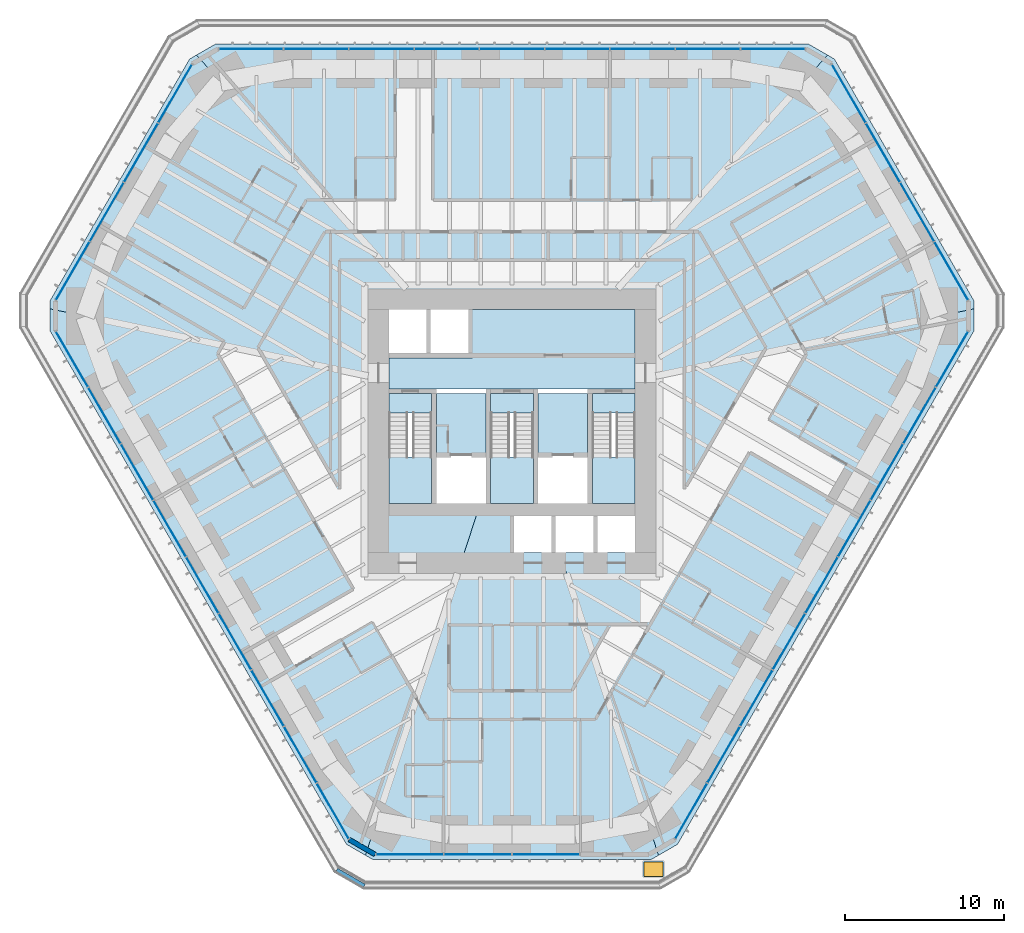
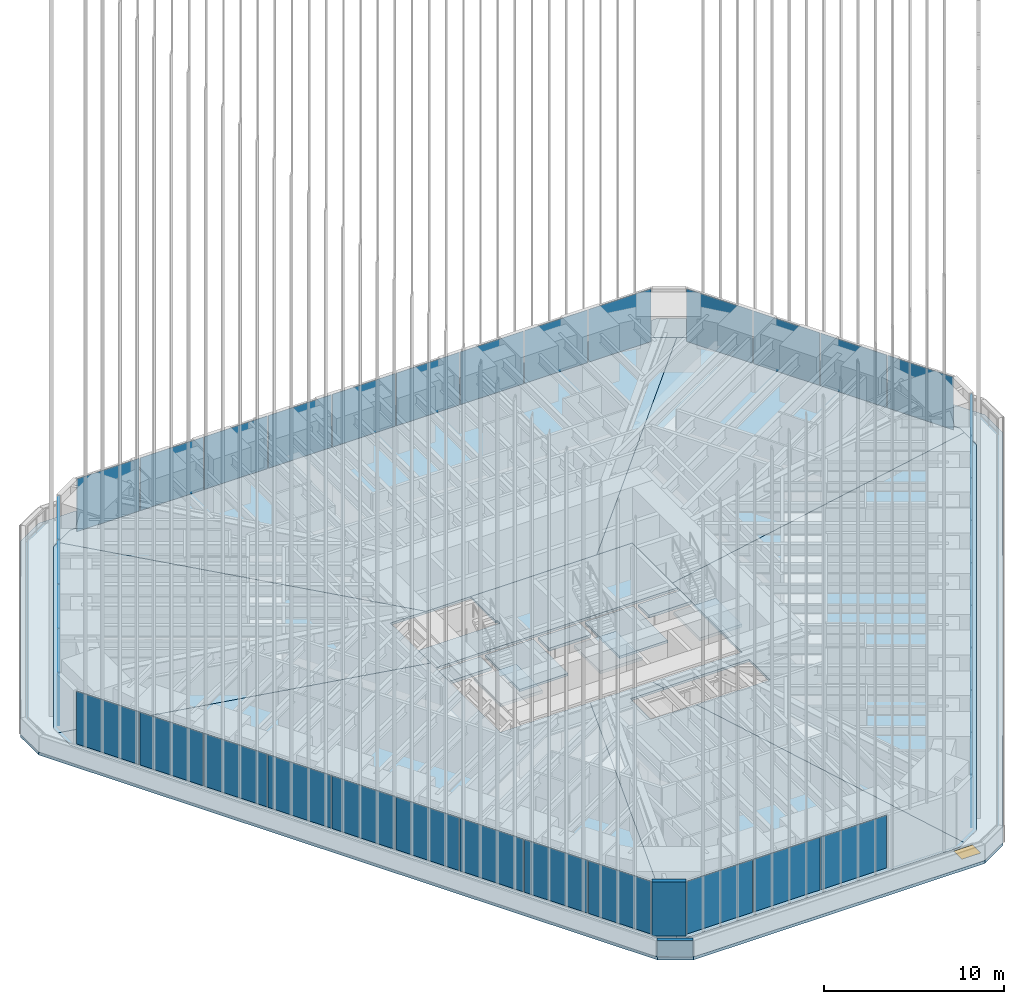
# One storey, part 229 of 238: 38 plates, 16 slabs, 2 walls, 1 window, 1 opening, 9 elements without a shape of their own.
"""IFC4 building model written with IfcOpenShell, lengths in metres."""

from ifc_helpers import new_model, si_unit, direction, frame, frame_2d, origin, origin_2d, place, context, subcontext, project, spatial, polyline, rectangle, outline, extrude, material, layer, layer_set, type_object, element, fill, aggregate, save


model = new_model("IFC4")

# Units and contexts
model_context = context("Model", 3, precision=1e-05, world=origin(), true_north=direction((0.0, 1.0)))
body_context = subcontext(model_context, "Body", "Model", "MODEL_VIEW")
ifc_project = project(units=[si_unit("LENGTHUNIT", "METRE"), si_unit("AREAUNIT", "SQUARE_METRE"), si_unit("VOLUMEUNIT", "CUBIC_METRE"), si_unit("PLANEANGLEUNIT", "RADIAN"), si_unit("MASSUNIT", "GRAM", prefix="KILO")], contexts=[model_context])

# Site, building, storey
site_placement = place(None, origin())
site = spatial("IfcSite", under=ifc_project, at=site_placement, CompositionType="ELEMENT")
building_placement = place(site_placement, origin())
building = spatial("IfcBuilding", under=site, at=building_placement, Name="Sandreach Pilgrim Tower", CompositionType="ELEMENT")
storey_placement = place(building_placement, frame((0.0, 0.0, 96.800048828125)))
storey = spatial("IfcBuildingStorey", under=building, at=storey_placement, Name="L23", CompositionType="ELEMENT", Elevation=96.800048828125)

# Curtain wall, plates
ifc_material_1 = material(Name="Aluminium framed curtain wall", Category="aluminium")
curtain_wall_type = type_object("IfcCurtainWallType", Name="Hotel tower curtain wall", PredefinedType="NOTDEFINED", material=ifc_material_1)
curtain_wall_1_placement = place(storey_placement, origin())
curtain_wall_1 = element("IfcCurtainWall", 1, at=curtain_wall_1_placement, inside=storey, type_object=curtain_wall_type, Name="CW-2 L23 N", PredefinedType="NOTDEFINED")
ifc_material_2 = material(Name="Insulating glass unit 8 heat-strengthened + 16 argon + 8 heat-strengthened", Category="glass")
ifc_layer_1 = layer(ifc_material_2, 0.031982421875)
ifc_layer_set_1 = layer_set([ifc_layer_1], Name="CW-2 panel")
plate_type = type_object("IfcPlateType", Name="CW-2 panel", PredefinedType="CURTAIN_PANEL", material=ifc_layer_set_1)
plate_1_placement = place(storey_placement, frame((-16.41162109375, 22.493896484375, 0.0), z_axis=(0.0, 0.0, 1.0), x_axis=(1.0, 0.0, 0.0)))
plate_1 = element("IfcPlate", 2, at=plate_1_placement, type_object=plate_type, Name="CW-2 panel 1", PredefinedType="CURTAIN_PANEL", context=body_context, shape_type="SweptSolid", body=[
    extrude(rectangle(XDim=4.009521484375, YDim=0.031982421875, at=origin_2d()), origin(), (0.0, 0.0, 1.0), 3.570068359375),
])
plate_2_placement = place(storey_placement, frame((-12.32080078125, 22.493896484375, 0.0), z_axis=(0.0, 0.0, 1.0), x_axis=(1.0, 0.0, 0.0)))
plate_2 = element("IfcPlate", 3, at=plate_2_placement, type_object=plate_type, Name="CW-2 panel 2", PredefinedType="CURTAIN_PANEL", context=body_context, shape_type="SweptSolid", body=[
    extrude(rectangle(XDim=4.0419921875, YDim=0.031982421875, at=origin_2d()), origin(), (0.0, 0.0, 1.0), 3.570068359375),
])
plate_3_placement = place(storey_placement, frame((-8.2138671875, 22.493896484375, 0.0), z_axis=(0.0, 0.0, 1.0), x_axis=(1.0, 0.0, 0.0)))
plate_3 = element("IfcPlate", 4, at=plate_3_placement, type_object=plate_type, Name="CW-2 panel 3", PredefinedType="CURTAIN_PANEL", context=body_context, shape_type="SweptSolid", body=[
    extrude(rectangle(XDim=4.0419921875, YDim=0.031982421875, at=origin_2d()), origin(), (0.0, 0.0, 1.0), 3.570068359375),
])
plate_4_placement = place(storey_placement, frame((-4.10693359375, 22.493896484375, 0.0), z_axis=(0.0, 0.0, 1.0), x_axis=(1.0, 0.0, 0.0)))
plate_4 = element("IfcPlate", 5, at=plate_4_placement, type_object=plate_type, Name="CW-2 panel 4", PredefinedType="CURTAIN_PANEL", context=body_context, shape_type="SweptSolid", body=[
    extrude(rectangle(XDim=4.0419921875, YDim=0.031982421875, at=origin_2d()), origin(), (0.0, 0.0, 1.0), 3.570068359375),
])
plate_5_placement = place(storey_placement, frame((0.0, 22.493896484375, 0.0), z_axis=(0.0, 0.0, 1.0), x_axis=(1.0, 0.0, 0.0)))
plate_5 = element("IfcPlate", 6, at=plate_5_placement, type_object=plate_type, Name="CW-2 panel 5", PredefinedType="CURTAIN_PANEL", context=body_context, shape_type="SweptSolid", body=[
    extrude(rectangle(XDim=4.0419921875, YDim=0.031982421875, at=origin_2d()), origin(), (0.0, 0.0, 1.0), 3.570068359375),
])
plate_6_placement = place(storey_placement, frame((4.10693359375, 22.493896484375, 0.0), z_axis=(0.0, 0.0, 1.0), x_axis=(1.0, 0.0, 0.0)))
plate_6 = element("IfcPlate", 7, at=plate_6_placement, type_object=plate_type, Name="CW-2 panel 6", PredefinedType="CURTAIN_PANEL", context=body_context, shape_type="SweptSolid", body=[
    extrude(rectangle(XDim=4.0419921875, YDim=0.031982421875, at=origin_2d()), origin(), (0.0, 0.0, 1.0), 3.570068359375),
])
plate_7_placement = place(storey_placement, frame((8.2138671875, 22.493896484375, 0.0), z_axis=(0.0, 0.0, 1.0), x_axis=(1.0, 0.0, 0.0)))
plate_7 = element("IfcPlate", 8, at=plate_7_placement, type_object=plate_type, Name="CW-2 panel 7", PredefinedType="CURTAIN_PANEL", context=body_context, shape_type="SweptSolid", body=[
    extrude(rectangle(XDim=4.0419921875, YDim=0.031982421875, at=origin_2d()), origin(), (0.0, 0.0, 1.0), 3.570068359375),
])
plate_8_placement = place(storey_placement, frame((12.32080078125, 22.493896484375, 0.0), z_axis=(0.0, 0.0, 1.0), x_axis=(1.0, 0.0, 0.0)))
plate_8 = element("IfcPlate", 9, at=plate_8_placement, type_object=plate_type, Name="CW-2 panel 8", PredefinedType="CURTAIN_PANEL", context=body_context, shape_type="SweptSolid", body=[
    extrude(rectangle(XDim=4.0419921875, YDim=0.031982421875, at=origin_2d()), origin(), (0.0, 0.0, 1.0), 3.570068359375),
])
plate_9_placement = place(storey_placement, frame((16.41162109375, 22.493896484375, 0.0), z_axis=(0.0, 0.0, 1.0), x_axis=(1.0, 0.0, 0.0)))
plate_9 = element("IfcPlate", 10, at=plate_9_placement, type_object=plate_type, Name="CW-2 panel 9", PredefinedType="CURTAIN_PANEL", context=body_context, shape_type="SweptSolid", body=[
    extrude(rectangle(XDim=4.009521484375, YDim=0.031982421875, at=origin_2d()), origin(), (0.0, 0.0, 1.0), 3.570068359375),
])
aggregate(curtain_wall_1, [plate_1, plate_2, plate_3, plate_4, plate_5, plate_6, plate_7, plate_8, plate_9])

curtain_wall_2_placement = place(storey_placement, origin())
curtain_wall_2 = element("IfcCurtainWall", 11, at=curtain_wall_2_placement, inside=storey, type_object=curtain_wall_type, Name="CW-2 L23 NE", PredefinedType="NOTDEFINED")
plate_10_placement = place(storey_placement, frame((21.194091796875, 19.67529296875, 0.0), z_axis=(0.0, 0.0, 1.0), x_axis=(0.5, -0.866025403784, 0.0)))
plate_10 = element("IfcPlate", 12, at=plate_10_placement, type_object=plate_type, Name="CW-2 panel 1", PredefinedType="CURTAIN_PANEL", context=body_context, shape_type="SweptSolid", body=[
    extrude(rectangle(XDim=4.208251953125, YDim=0.031982421875, at=origin_2d()), origin(), (0.0, 0.0, 1.0), 3.570068359375),
])
plate_11_placement = place(storey_placement, frame((23.3388671875, 15.96044921875, 0.0), z_axis=(0.0, 0.0, 1.0), x_axis=(0.5, -0.866025403784, 0.0)))
plate_11 = element("IfcPlate", 13, at=plate_11_placement, type_object=plate_type, Name="CW-2 panel 2", PredefinedType="CURTAIN_PANEL", context=body_context, shape_type="SweptSolid", body=[
    extrude(rectangle(XDim=4.24072265625, YDim=0.031982421875, at=origin_2d()), origin(), (0.0, 0.0, 1.0), 3.570068359375),
])
plate_12_placement = place(storey_placement, frame((25.49169921875, 12.231689453125, 0.0), z_axis=(0.0, 0.0, 1.0), x_axis=(0.5, -0.866025403784, 0.0)))
plate_12 = element("IfcPlate", 14, at=plate_12_placement, type_object=plate_type, Name="CW-2 panel 3", PredefinedType="CURTAIN_PANEL", context=body_context, shape_type="SweptSolid", body=[
    extrude(rectangle(XDim=4.24072265625, YDim=0.031982421875, at=origin_2d()), origin(), (0.0, 0.0, 1.0), 3.570068359375),
])
plate_13_placement = place(storey_placement, frame((27.63623046875, 8.516845703125, 0.0), z_axis=(0.0, 0.0, 1.0), x_axis=(0.5, -0.866025403784, 0.0)))
plate_13 = element("IfcPlate", 15, at=plate_13_placement, type_object=plate_type, Name="CW-2 panel 4", PredefinedType="CURTAIN_PANEL", context=body_context, shape_type="SweptSolid", body=[
    extrude(rectangle(XDim=4.208251953125, YDim=0.031982421875, at=origin_2d()), origin(), (0.0, 0.0, 1.0), 3.570068359375),
])
aggregate(curtain_wall_2, [plate_10, plate_11, plate_12, plate_13])

curtain_wall_3_placement = place(storey_placement, origin())
curtain_wall_3 = element("IfcCurtainWall", 16, at=curtain_wall_3_placement, inside=storey, type_object=curtain_wall_type, Name="CW-2 L23 SE", PredefinedType="NOTDEFINED")
plate_14_placement = place(storey_placement, frame((27.68603515625, 2.966064453125, 0.0), z_axis=(0.0, 0.0, 1.0), x_axis=(-0.5, -0.866025403784, 0.0)))
plate_14 = element("IfcPlate", 17, at=plate_14_placement, type_object=plate_type, Name="CW-2 panel 1", PredefinedType="CURTAIN_PANEL", context=body_context, shape_type="SweptSolid", body=[
    extrude(rectangle(XDim=4.009521484375, YDim=0.031982421875, at=origin_2d()), origin(), (0.0, 0.0, 1.0), 3.570068359375),
])
plate_15_placement = place(storey_placement, frame((25.640625, -0.57666015625, 0.0), z_axis=(0.0, 0.0, 1.0), x_axis=(-0.5, -0.866025403784, 0.0)))
plate_15 = element("IfcPlate", 18, at=plate_15_placement, type_object=plate_type, Name="CW-2 panel 2", PredefinedType="CURTAIN_PANEL", context=body_context, shape_type="SweptSolid", body=[
    extrude(rectangle(XDim=4.0419921875, YDim=0.031982421875, at=origin_2d()), origin(), (0.0, 0.0, 1.0), 3.570068359375),
])
plate_16_placement = place(storey_placement, frame((23.587158203125, -4.13330078125, 0.0), z_axis=(0.0, 0.0, 1.0), x_axis=(-0.5, -0.866025403784, 0.0)))
plate_16 = element("IfcPlate", 19, at=plate_16_placement, type_object=plate_type, Name="CW-2 panel 3", PredefinedType="CURTAIN_PANEL", context=body_context, shape_type="SweptSolid", body=[
    extrude(rectangle(XDim=4.0419921875, YDim=0.031982421875, at=origin_2d()), origin(), (0.0, 0.0, 1.0), 3.570068359375),
])
plate_17_placement = place(storey_placement, frame((21.53369140625, -7.690185546875, 0.0), z_axis=(0.0, 0.0, 1.0), x_axis=(-0.5, -0.866025403784, 0.0)))
plate_17 = element("IfcPlate", 20, at=plate_17_placement, type_object=plate_type, Name="CW-2 panel 4", PredefinedType="CURTAIN_PANEL", context=body_context, shape_type="SweptSolid", body=[
    extrude(rectangle(XDim=4.0419921875, YDim=0.031982421875, at=origin_2d()), origin(), (0.0, 0.0, 1.0), 3.570068359375),
])
plate_18_placement = place(storey_placement, frame((19.480224609375, -11.246826171875, 0.0), z_axis=(0.0, 0.0, 1.0), x_axis=(-0.5, -0.866025403784, 0.0)))
plate_18 = element("IfcPlate", 21, at=plate_18_placement, type_object=plate_type, Name="CW-2 panel 5", PredefinedType="CURTAIN_PANEL", context=body_context, shape_type="SweptSolid", body=[
    extrude(rectangle(XDim=4.0419921875, YDim=0.031982421875, at=origin_2d()), origin(), (0.0, 0.0, 1.0), 3.570068359375),
])
plate_19_placement = place(storey_placement, frame((17.4267578125, -14.8037109375, 0.0), z_axis=(0.0, 0.0, 1.0), x_axis=(-0.5, -0.866025403784, 0.0)))
plate_19 = element("IfcPlate", 22, at=plate_19_placement, type_object=plate_type, Name="CW-2 panel 6", PredefinedType="CURTAIN_PANEL", context=body_context, shape_type="SweptSolid", body=[
    extrude(rectangle(XDim=4.0419921875, YDim=0.031982421875, at=origin_2d()), origin(), (0.0, 0.0, 1.0), 3.570068359375),
])
plate_20_placement = place(storey_placement, frame((15.373291015625, -18.3603515625, 0.0), z_axis=(0.0, 0.0, 1.0), x_axis=(-0.5, -0.866025403784, 0.0)))
plate_20 = element("IfcPlate", 23, at=plate_20_placement, type_object=plate_type, Name="CW-2 panel 7", PredefinedType="CURTAIN_PANEL", context=body_context, shape_type="SweptSolid", body=[
    extrude(rectangle(XDim=4.0419921875, YDim=0.031982421875, at=origin_2d()), origin(), (0.0, 0.0, 1.0), 3.570068359375),
])
plate_21_placement = place(storey_placement, frame((13.31982421875, -21.917236328125, 0.0), z_axis=(0.0, 0.0, 1.0), x_axis=(-0.5, -0.866025403784, 0.0)))
plate_21 = element("IfcPlate", 24, at=plate_21_placement, type_object=plate_type, Name="CW-2 panel 8", PredefinedType="CURTAIN_PANEL", context=body_context, shape_type="SweptSolid", body=[
    extrude(rectangle(XDim=4.0419921875, YDim=0.031982421875, at=origin_2d()), origin(), (0.0, 0.0, 1.0), 3.570068359375),
])
plate_22_placement = place(storey_placement, frame((11.2744140625, -25.459716796875, 0.0), z_axis=(0.0, 0.0, 1.0), x_axis=(-0.5, -0.866025403784, 0.0)))
plate_22 = element("IfcPlate", 25, at=plate_22_placement, type_object=plate_type, Name="CW-2 panel 9", PredefinedType="CURTAIN_PANEL", context=body_context, shape_type="SweptSolid", body=[
    extrude(rectangle(XDim=4.009521484375, YDim=0.031982421875, at=origin_2d()), origin(), (0.0, 0.0, 1.0), 3.570068359375),
])
aggregate(curtain_wall_3, [plate_14, plate_15, plate_16, plate_17, plate_18, plate_19, plate_20, plate_21, plate_22])

curtain_wall_4_placement = place(storey_placement, origin())
curtain_wall_4 = element("IfcCurtainWall", 26, at=curtain_wall_4_placement, inside=storey, type_object=curtain_wall_type, Name="CW-2 L23 SA", PredefinedType="NOTDEFINED")
plate_23_placement = place(storey_placement, frame((2.136474609375, -28.192138671875, 0.0), z_axis=(0.0, 0.0, 1.0), x_axis=(-1.0, 0.0, 0.0)))
plate_23 = element("IfcPlate", 27, at=plate_23_placement, type_object=plate_type, Name="CW-2 panel 1", PredefinedType="CURTAIN_PANEL", context=body_context, shape_type="SweptSolid", body=[
    extrude(rectangle(XDim=4.208251953125, YDim=0.031982421875, at=origin_2d()), origin(), (0.0, 0.0, 1.0), 3.570068359375),
])
plate_24_placement = place(storey_placement, frame((-2.15283203125, -28.192138671875, 0.0), z_axis=(0.0, 0.0, 1.0), x_axis=(-1.0, 0.0, 0.0)))
plate_24 = element("IfcPlate", 28, at=plate_24_placement, type_object=plate_type, Name="CW-2 panel 2", PredefinedType="CURTAIN_PANEL", context=body_context, shape_type="SweptSolid", body=[
    extrude(rectangle(XDim=4.24072265625, YDim=0.031982421875, at=origin_2d()), origin(), (0.0, 0.0, 1.0), 3.570068359375),
])
plate_25_placement = place(storey_placement, frame((-6.4423828125, -28.192138671875, 0.0), z_axis=(0.0, 0.0, 1.0), x_axis=(-1.0, 0.0, 0.0)))
plate_25 = element("IfcPlate", 29, at=plate_25_placement, type_object=plate_type, Name="CW-2 panel 3", PredefinedType="CURTAIN_PANEL", context=body_context, shape_type="SweptSolid", body=[
    extrude(rectangle(XDim=4.208251953125, YDim=0.031982421875, at=origin_2d()), origin(), (0.0, 0.0, 1.0), 3.570068359375),
])
aggregate(curtain_wall_4, [plate_23, plate_24, plate_25])

curtain_wall_5_placement = place(storey_placement, origin())
curtain_wall_5 = element("IfcCurtainWall", 30, at=curtain_wall_5_placement, inside=storey, type_object=curtain_wall_type, Name="CW-2 L23 SW", PredefinedType="NOTDEFINED")
plate_26_placement = place(storey_placement, frame((-11.2744140625, -25.459716796875, 0.0), z_axis=(0.0, 0.0, 1.0), x_axis=(-0.5, 0.866025403784, 0.0)))
plate_26 = element("IfcPlate", 31, at=plate_26_placement, type_object=plate_type, Name="CW-2 panel 1", PredefinedType="CURTAIN_PANEL", context=body_context, shape_type="SweptSolid", body=[
    extrude(rectangle(XDim=4.009521484375, YDim=0.031982421875, at=origin_2d()), origin(), (0.0, 0.0, 1.0), 3.570068359375),
])
plate_27_placement = place(storey_placement, frame((-13.31982421875, -21.917236328125, 0.0), z_axis=(0.0, 0.0, 1.0), x_axis=(-0.5, 0.866025403784, 0.0)))
plate_27 = element("IfcPlate", 32, at=plate_27_placement, type_object=plate_type, Name="CW-2 panel 2", PredefinedType="CURTAIN_PANEL", context=body_context, shape_type="SweptSolid", body=[
    extrude(rectangle(XDim=4.0419921875, YDim=0.031982421875, at=origin_2d()), origin(), (0.0, 0.0, 1.0), 3.570068359375),
])
plate_28_placement = place(storey_placement, frame((-15.373291015625, -18.3603515625, 0.0), z_axis=(0.0, 0.0, 1.0), x_axis=(-0.5, 0.866025403784, 0.0)))
plate_28 = element("IfcPlate", 33, at=plate_28_placement, type_object=plate_type, Name="CW-2 panel 3", PredefinedType="CURTAIN_PANEL", context=body_context, shape_type="SweptSolid", body=[
    extrude(rectangle(XDim=4.0419921875, YDim=0.031982421875, at=origin_2d()), origin(), (0.0, 0.0, 1.0), 3.570068359375),
])
plate_29_placement = place(storey_placement, frame((-17.4267578125, -14.8037109375, 0.0), z_axis=(0.0, 0.0, 1.0), x_axis=(-0.5, 0.866025403784, 0.0)))
plate_29 = element("IfcPlate", 34, at=plate_29_placement, type_object=plate_type, Name="CW-2 panel 4", PredefinedType="CURTAIN_PANEL", context=body_context, shape_type="SweptSolid", body=[
    extrude(rectangle(XDim=4.0419921875, YDim=0.031982421875, at=origin_2d()), origin(), (0.0, 0.0, 1.0), 3.570068359375),
])
plate_30_placement = place(storey_placement, frame((-19.480224609375, -11.246826171875, 0.0), z_axis=(0.0, 0.0, 1.0), x_axis=(-0.5, 0.866025403784, 0.0)))
plate_30 = element("IfcPlate", 35, at=plate_30_placement, type_object=plate_type, Name="CW-2 panel 5", PredefinedType="CURTAIN_PANEL", context=body_context, shape_type="SweptSolid", body=[
    extrude(rectangle(XDim=4.0419921875, YDim=0.031982421875, at=origin_2d()), origin(), (0.0, 0.0, 1.0), 3.570068359375),
])
plate_31_placement = place(storey_placement, frame((-21.53369140625, -7.690185546875, 0.0), z_axis=(0.0, 0.0, 1.0), x_axis=(-0.5, 0.866025403784, 0.0)))
plate_31 = element("IfcPlate", 36, at=plate_31_placement, type_object=plate_type, Name="CW-2 panel 6", PredefinedType="CURTAIN_PANEL", context=body_context, shape_type="SweptSolid", body=[
    extrude(rectangle(XDim=4.0419921875, YDim=0.031982421875, at=origin_2d()), origin(), (0.0, 0.0, 1.0), 3.570068359375),
])
plate_32_placement = place(storey_placement, frame((-23.587158203125, -4.13330078125, 0.0), z_axis=(0.0, 0.0, 1.0), x_axis=(-0.5, 0.866025403784, 0.0)))
plate_32 = element("IfcPlate", 37, at=plate_32_placement, type_object=plate_type, Name="CW-2 panel 7", PredefinedType="CURTAIN_PANEL", context=body_context, shape_type="SweptSolid", body=[
    extrude(rectangle(XDim=4.0419921875, YDim=0.031982421875, at=origin_2d()), origin(), (0.0, 0.0, 1.0), 3.570068359375),
])
plate_33_placement = place(storey_placement, frame((-25.640625, -0.57666015625, 0.0), z_axis=(0.0, 0.0, 1.0), x_axis=(-0.5, 0.866025403784, 0.0)))
plate_33 = element("IfcPlate", 38, at=plate_33_placement, type_object=plate_type, Name="CW-2 panel 8", PredefinedType="CURTAIN_PANEL", context=body_context, shape_type="SweptSolid", body=[
    extrude(rectangle(XDim=4.0419921875, YDim=0.031982421875, at=origin_2d()), origin(), (0.0, 0.0, 1.0), 3.570068359375),
])
plate_34_placement = place(storey_placement, frame((-27.68603515625, 2.966064453125, 0.0), z_axis=(0.0, 0.0, 1.0), x_axis=(-0.5, 0.866025403784, 0.0)))
plate_34 = element("IfcPlate", 39, at=plate_34_placement, type_object=plate_type, Name="CW-2 panel 9", PredefinedType="CURTAIN_PANEL", context=body_context, shape_type="SweptSolid", body=[
    extrude(rectangle(XDim=4.009521484375, YDim=0.031982421875, at=origin_2d()), origin(), (0.0, 0.0, 1.0), 3.570068359375),
])
aggregate(curtain_wall_5, [plate_26, plate_27, plate_28, plate_29, plate_30, plate_31, plate_32, plate_33, plate_34])

curtain_wall_6_placement = place(storey_placement, origin())
curtain_wall_6 = element("IfcCurtainWall", 40, at=curtain_wall_6_placement, inside=storey, type_object=curtain_wall_type, Name="CW-2 L23 NW", PredefinedType="NOTDEFINED")
plate_35_placement = place(storey_placement, frame((-27.63623046875, 8.516845703125, 0.0), z_axis=(0.0, 0.0, 1.0), x_axis=(0.5, 0.866025403784, 0.0)))
plate_35 = element("IfcPlate", 41, at=plate_35_placement, type_object=plate_type, Name="CW-2 panel 1", PredefinedType="CURTAIN_PANEL", context=body_context, shape_type="SweptSolid", body=[
    extrude(rectangle(XDim=4.208251953125, YDim=0.031982421875, at=origin_2d()), origin(), (0.0, 0.0, 1.0), 3.570068359375),
])
plate_36_placement = place(storey_placement, frame((-25.49169921875, 12.231689453125, 0.0), z_axis=(0.0, 0.0, 1.0), x_axis=(0.5, 0.866025403784, 0.0)))
plate_36 = element("IfcPlate", 42, at=plate_36_placement, type_object=plate_type, Name="CW-2 panel 2", PredefinedType="CURTAIN_PANEL", context=body_context, shape_type="SweptSolid", body=[
    extrude(rectangle(XDim=4.24072265625, YDim=0.031982421875, at=origin_2d()), origin(), (0.0, 0.0, 1.0), 3.570068359375),
])
plate_37_placement = place(storey_placement, frame((-23.3388671875, 15.96044921875, 0.0), z_axis=(0.0, 0.0, 1.0), x_axis=(0.5, 0.866025403784, 0.0)))
plate_37 = element("IfcPlate", 43, at=plate_37_placement, type_object=plate_type, Name="CW-2 panel 3", PredefinedType="CURTAIN_PANEL", context=body_context, shape_type="SweptSolid", body=[
    extrude(rectangle(XDim=4.24072265625, YDim=0.031982421875, at=origin_2d()), origin(), (0.0, 0.0, 1.0), 3.570068359375),
])
plate_38_placement = place(storey_placement, frame((-21.194091796875, 19.67529296875, 0.0), z_axis=(0.0, 0.0, 1.0), x_axis=(0.5, 0.866025403784, 0.0)))
plate_38 = element("IfcPlate", 44, at=plate_38_placement, type_object=plate_type, Name="CW-2 panel 4", PredefinedType="CURTAIN_PANEL", context=body_context, shape_type="SweptSolid", body=[
    extrude(rectangle(XDim=4.208251953125, YDim=0.031982421875, at=origin_2d()), origin(), (0.0, 0.0, 1.0), 3.570068359375),
])
aggregate(curtain_wall_6, [plate_35, plate_36, plate_37, plate_38])

# Slabs
ifc_material_3 = material(Name="Concrete 8000 psi", Category="concrete")
ifc_layer_2 = layer(ifc_material_3, 0.159912109375)
ifc_layer_set_2 = layer_set([ifc_layer_2], Name="Composite floor slab 160")
slab_type_1 = type_object("IfcSlabType", Name="Composite floor slab 160", PredefinedType="FLOOR", material=ifc_layer_set_2)
slab_1_placement = place(storey_placement, frame((0.0, 0.0, -0.16015625)))
element("IfcSlab", 45, at=slab_1_placement, inside=storey, type_object=slab_type_1, Name="Floor slab L23 N sector", PredefinedType="FLOOR", context=body_context, shape_type="SweptSolid", body=[
    extrude(outline(polyline([(-18.654541015625, 22.793701171875), (18.654541015625, 22.793701171875), (19.848388671875, 22.1044921875), (5.477294921875, 6.10009765625), (-5.477294921875, 6.10009765625), (-19.848388671875, 22.1044921875), (-18.654541015625, 22.793701171875)])), origin(), (0.0, 0.0, 1.0), 0.16015625),
])
slab_2_placement = place(storey_placement, frame((0.0, 0.0, -0.16015625)))
element("IfcSlab", 46, at=slab_2_placement, inside=storey, type_object=slab_type_1, Name="Floor slab L23 NE sector", PredefinedType="FLOOR", context=body_context, shape_type="SweptSolid", body=[
    extrude(outline(polyline([(20.28271484375, 21.853759765625), (29.0673828125, 6.638427734375), (29.0673828125, 6.13720703125), (7.75, 1.63623046875), (7.75, 6.10009765625), (5.477294921875, 6.10009765625), (19.848388671875, 22.1044921875), (20.28271484375, 21.853759765625)])), origin(), (0.0, 0.0, 1.0), 0.16015625),
])
slab_3_placement = place(storey_placement, frame((0.0, 0.0, -0.16015625)))
element("IfcSlab", 47, at=slab_3_placement, inside=storey, type_object=slab_type_1, Name="Floor slab L23 SE sector", PredefinedType="FLOOR", context=body_context, shape_type="SweptSolid", body=[
    extrude(outline(polyline([(29.0673828125, 4.75830078125), (10.41259765625, -27.55224609375), (9.21875, -28.241455078125), (3.003173828125, -9.199951171875), (7.75, -9.199951171875), (7.75, -6.89990234375), (2.252197265625, -6.89990234375), (1.9912109375, -6.10009765625), (7.75, -6.10009765625), (7.75, 1.63623046875), (29.0673828125, 6.13720703125), (29.0673828125, 4.75830078125)])), origin(), (0.0, 0.0, 1.0), 0.16015625),
])
slab_4_placement = place(storey_placement, frame((0.0, 0.0, -0.16015625)))
element("IfcSlab", 48, at=slab_4_placement, inside=storey, type_object=slab_type_1, Name="Floor slab L23 S sector", PredefinedType="FLOOR", context=body_context, shape_type="SweptSolid", body=[
    extrude(outline(polyline([(8.78466796875, -28.4921875), (-8.78466796875, -28.4921875), (-9.21875, -28.241455078125), (-1.9912109375, -6.10009765625), (1.9912109375, -6.10009765625), (2.252197265625, -6.89990234375), (0.125, -6.89990234375), (0.125, -9.199951171875), (3.003173828125, -9.199951171875), (9.21875, -28.241455078125), (8.78466796875, -28.4921875)])), origin(), (0.0, 0.0, 1.0), 0.16015625),
])
slab_5_placement = place(storey_placement, frame((0.0, 0.0, -0.16015625)))
element("IfcSlab", 49, at=slab_5_placement, inside=storey, type_object=slab_type_1, Name="Floor slab L23 SW sector", PredefinedType="FLOOR", context=body_context, shape_type="SweptSolid", body=[
    extrude(outline(polyline([(-10.41259765625, -27.55224609375), (-29.0673828125, 4.75830078125), (-29.0673828125, 6.13720703125), (-7.75, 1.63623046875), (-7.75, -6.10009765625), (-1.9912109375, -6.10009765625), (-9.21875, -28.241455078125), (-10.41259765625, -27.55224609375)])), origin(), (0.0, 0.0, 1.0), 0.16015625),
])
slab_6_placement = place(storey_placement, frame((0.0, 0.0, -0.16015625)))
element("IfcSlab", 50, at=slab_6_placement, inside=storey, type_object=slab_type_1, Name="Floor slab L23 NW sector", PredefinedType="FLOOR", context=body_context, shape_type="SweptSolid", body=[
    extrude(outline(polyline([(-29.0673828125, 6.638427734375), (-20.28271484375, 21.853759765625), (-19.848388671875, 22.1044921875), (-5.477294921875, 6.10009765625), (-7.75, 6.10009765625), (-7.75, 1.63623046875), (-29.0673828125, 6.13720703125), (-29.0673828125, 6.638427734375)])), origin(), (0.0, 0.0, 1.0), 0.16015625),
])
slab_7_placement = place(storey_placement, frame((0.0, 0.0, -0.16015625)))
element("IfcSlab", 51, at=slab_7_placement, inside=storey, type_object=slab_type_1, Name="Core floor slab and stores L23", PredefinedType="FLOOR", context=body_context, shape_type="SweptSolid", body=[
    extrude(outline(polyline([(-7.75, 3.050048828125), (-5.375, 3.050048828125), (-5.125, 3.050048828125), (-2.5, 3.050048828125), (-2.5, 3.35009765625), (-2.60009765625, 3.35009765625), (-2.60009765625, 6.10009765625), (7.75, 6.10009765625), (7.75, 1.10009765625), (5.050048828125, 1.10009765625), (4.75, 1.10009765625), (1.64990234375, 1.10009765625), (1.35009765625, 1.10009765625), (-1.35009765625, 1.10009765625), (-1.64990234375, 1.10009765625), (-4.75, 1.10009765625), (-5.050048828125, 1.10009765625), (-7.75, 1.10009765625), (-7.75, 3.050048828125)])), origin(), (0.0, 0.0, 1.0), 0.16015625),
])
slab_8_placement = place(storey_placement, frame((0.0, 0.0, -0.16015625)))
element("IfcSlab", 52, at=slab_8_placement, inside=storey, type_object=slab_type_1, Name="Core floor slab and stores L23 2", PredefinedType="FLOOR", context=body_context, shape_type="SweptSolid", body=[
    extrude(outline(polyline([(-1.64990234375, -3.050048828125), (-4.75, -3.050048828125), (-4.75, 0.800048828125), (-1.64990234375, 0.800048828125), (-1.64990234375, -3.050048828125)])), origin(), (0.0, 0.0, 1.0), 0.16015625),
])
slab_9_placement = place(storey_placement, frame((0.0, 0.0, -0.16015625)))
element("IfcSlab", 53, at=slab_9_placement, inside=storey, type_object=slab_type_1, Name="Core floor slab and stores L23 3", PredefinedType="FLOOR", context=body_context, shape_type="SweptSolid", body=[
    extrude(outline(polyline([(4.75, -3.050048828125), (1.64990234375, -3.050048828125), (1.64990234375, 0.800048828125), (4.75, 0.800048828125), (4.75, -3.050048828125)])), origin(), (0.0, 0.0, 1.0), 0.16015625),
])

# Stair, slabs
ifc_material_4 = material(Name="Concrete 8000 psi", Category="concrete")
stair_type = type_object("IfcStairType", Name="Core exit stair", PredefinedType="HALF_TURN_STAIR", material=ifc_material_4)
stair_1_placement = place(storey_placement, origin())
stair_1 = element("IfcStair", 54, at=stair_1_placement, inside=storey, type_object=stair_type, Name="Exit stair ST1 L23", PredefinedType="HALF_TURN_STAIR")
ifc_material_5 = material(Name="Concrete 8000 psi", Category="concrete")
ifc_layer_3 = layer(ifc_material_5, 0.199951171875)
ifc_layer_set_3 = layer_set([ifc_layer_3], Name="Core stair landing 200")
slab_type_2 = type_object("IfcSlabType", Name="Core stair landing 200", PredefinedType="LANDING", material=ifc_layer_set_3)
slab_10_placement = place(storey_placement, frame((0.0, 0.0, -0.199951171875)))
slab_10 = element("IfcSlab", 55, at=slab_10_placement, type_object=slab_type_2, Name="ST1 landing 1", PredefinedType="LANDING", context=body_context, shape_type="SweptSolid", body=[
    extrude(outline(polyline([(-7.75, -0.425048828125), (-5.050048828125, -0.425048828125), (-5.050048828125, 0.800048828125), (-7.75, 0.800048828125), (-7.75, -0.425048828125)])), origin(), (0.0, 0.0, 1.0), 0.199951171875),
])
slab_11_placement = place(storey_placement, frame((0.0, 0.0, 1.699951171875)))
slab_11 = element("IfcSlab", 56, at=slab_11_placement, type_object=slab_type_2, Name="ST1 landing 2", PredefinedType="LANDING", context=body_context, shape_type="SweptSolid", body=[
    extrude(outline(polyline([(-7.75, -6.10009765625), (-5.050048828125, -6.10009765625), (-5.050048828125, -3.175048828125), (-7.75, -3.175048828125), (-7.75, -6.10009765625)])), origin(), (0.0, 0.0, 1.0), 0.199951171875),
])
aggregate(stair_1, [slab_10, slab_11])

stair_2_placement = place(storey_placement, origin())
stair_2 = element("IfcStair", 57, at=stair_2_placement, inside=storey, type_object=stair_type, Name="Exit stair ST3 L23", PredefinedType="HALF_TURN_STAIR")
slab_12_placement = place(storey_placement, frame((0.0, 0.0, -0.199951171875)))
slab_12 = element("IfcSlab", 58, at=slab_12_placement, type_object=slab_type_2, Name="ST3 landing 1", PredefinedType="LANDING", context=body_context, shape_type="SweptSolid", body=[
    extrude(outline(polyline([(-1.35009765625, -0.425048828125), (1.35009765625, -0.425048828125), (1.35009765625, 0.800048828125), (-1.35009765625, 0.800048828125), (-1.35009765625, -0.425048828125)])), origin(), (0.0, 0.0, 1.0), 0.199951171875),
])
slab_13_placement = place(storey_placement, frame((0.0, 0.0, 1.699951171875)))
slab_13 = element("IfcSlab", 59, at=slab_13_placement, type_object=slab_type_2, Name="ST3 landing 2", PredefinedType="LANDING", context=body_context, shape_type="SweptSolid", body=[
    extrude(outline(polyline([(-1.35009765625, -6.10009765625), (1.35009765625, -6.10009765625), (1.35009765625, -3.175048828125), (-1.35009765625, -3.175048828125), (-1.35009765625, -6.10009765625)])), origin(), (0.0, 0.0, 1.0), 0.199951171875),
])
aggregate(stair_2, [slab_12, slab_13])

stair_3_placement = place(storey_placement, origin())
stair_3 = element("IfcStair", 60, at=stair_3_placement, inside=storey, type_object=stair_type, Name="Exit stair ST2 L23", PredefinedType="HALF_TURN_STAIR")
slab_14_placement = place(storey_placement, frame((0.0, 0.0, -0.199951171875)))
slab_14 = element("IfcSlab", 61, at=slab_14_placement, type_object=slab_type_2, Name="ST2 landing 1", PredefinedType="LANDING", context=body_context, shape_type="SweptSolid", body=[
    extrude(outline(polyline([(5.050048828125, -0.425048828125), (7.75, -0.425048828125), (7.75, 0.800048828125), (5.050048828125, 0.800048828125), (5.050048828125, -0.425048828125)])), origin(), (0.0, 0.0, 1.0), 0.199951171875),
])
slab_15_placement = place(storey_placement, frame((0.0, 0.0, 1.699951171875)))
slab_15 = element("IfcSlab", 62, at=slab_15_placement, type_object=slab_type_2, Name="ST2 landing 2", PredefinedType="LANDING", context=body_context, shape_type="SweptSolid", body=[
    extrude(outline(polyline([(5.050048828125, -6.10009765625), (7.75, -6.10009765625), (7.75, -3.175048828125), (5.050048828125, -3.175048828125), (5.050048828125, -6.10009765625)])), origin(), (0.0, 0.0, 1.0), 0.199951171875),
])
aggregate(stair_3, [slab_14, slab_15])

# Slab, opening, window
ifc_material_6 = material(Name="Concrete 8000 psi", Category="concrete")
ifc_layer_4 = layer(ifc_material_6, 0.199951171875)
ifc_layer_set_4 = layer_set([ifc_layer_4], Name="Setback roof slab 200")
slab_type_3 = type_object("IfcSlabType", Name="Setback roof slab 200", PredefinedType="ROOF", material=ifc_layer_set_4)
slab_16_placement = place(storey_placement, frame((0.0, 0.0, -0.199951171875)))
slab_16 = element("IfcSlab", 63, at=slab_16_placement, inside=storey, type_object=slab_type_3, Name="Setback maintenance roof L23", PredefinedType="ROOF", context=body_context, shape_type="SweptSolid", body=[
    extrude(outline(polyline([(-19.84521484375, 24.248779296875), (-21.577392578125, 23.248779296875), (-30.922607421875, 7.062255859375), (-30.922607421875, 5.062255859375), (-11.077392578125, -29.310791015625), (-9.34521484375, -30.310791015625), (9.34521484375, -30.310791015625), (11.077392578125, -29.310791015625), (30.922607421875, 5.062255859375), (30.922607421875, 7.062255859375), (21.577392578125, 23.248779296875), (19.84521484375, 24.248779296875), (-19.84521484375, 24.248779296875)]), holes=[polyline([(-18.654541015625, 22.793701171875), (-20.28271484375, 21.853759765625), (-29.0673828125, 6.638427734375), (-29.0673828125, 4.758544921875), (-10.41259765625, -27.55224609375), (-8.78466796875, -28.4921875), (8.78466796875, -28.4921875), (10.41259765625, -27.55224609375), (29.0673828125, 4.758544921875), (29.0673828125, 6.638427734375), (20.28271484375, 21.853759765625), (18.654541015625, 22.793701171875), (-18.654541015625, 22.793701171875)])]), origin(), (0.0, 0.0, 1.0), 0.199951171875),
])
opening_placement = place(slab_16_placement, frame((8.89990234375, -29.112060546875, 0.0)))
opening = element("IfcOpeningElement", 64, at=opening_placement, cuts=slab_16, Name="Opening RH2", PredefinedType="OPENING", context=body_context, shape_type="SweptSolid", body=[
    extrude(rectangle(XDim=1.199951171875, YDim=0.89990234375, at=origin_2d()), origin(), (0.0, 0.0, 1.0), 0.199951171875),
])
ifc_material_7 = material(Name="Insulated aluminium roof hatch", Category="aluminium")
window_type = type_object("IfcWindowType", Name="Setback roof access hatch", PartitioningType="SINGLE_PANEL", PredefinedType="SKYLIGHT", material=ifc_material_7)
window_placement = place(opening_placement, frame((0.0, 0.0, 0.14990234375)))
window = element("IfcWindow", 65, at=window_placement, inside=storey, type_object=window_type, Name="Roof access hatch L23", OverallHeight=0.89990234375, OverallWidth=1.199951171875, PartitioningType="SINGLE_PANEL", PredefinedType="SKYLIGHT", context=body_context, shape_type="SweptSolid", body=[
    extrude(rectangle(XDim=1.199951171875, YDim=0.89990234375, at=origin_2d()), origin(), (0.0, 0.0, 1.0), 0.050048828125),
])
fill(opening, window)

# Walls
ifc_material_8 = material(Name="Concrete parapet with terracotta coping", Category="masonry")
ifc_layer_5 = layer(ifc_material_8, 0.25)
ifc_layer_set_5 = layer_set([ifc_layer_5], Name="Setback parapet")
wall_type_1 = type_object("IfcWallType", Name="Setback parapet", PredefinedType="PARAPET", material=ifc_layer_set_5)
wall_1_placement = place(storey_placement, frame((-11.0244140625, -29.170654296875, 0.0), z_axis=(0.0, 0.0, 1.0), x_axis=(0.865627711351, -0.500688191733, 0.0)))
element("IfcWall", 66, at=wall_1_placement, inside=storey, type_object=wall_type_1, Name="Setback parapet L23 5", PredefinedType="PARAPET", context=body_context, shape_type="SweptSolid", body=[
    extrude(rectangle(XDim=1.990966796875, YDim=0.25, at=frame_2d((0.99560546875, 0.0))), origin(), (0.0, 0.0, 1.0), 1.099853515625),
])
ifc_material_9 = material(Name="Terracotta rainscreen on concrete", Category="masonry")
ifc_layer_6 = layer(ifc_material_9, 0.300048828125)
ifc_layer_set_6 = layer_set([ifc_layer_6], Name="Terracotta chamfer pier")
wall_type_2 = type_object("IfcWallType", Name="Terracotta chamfer pier", PredefinedType="SOLIDWALL", material=ifc_layer_set_6)
wall_2_placement = place(storey_placement, frame((-8.611328125, -28.192138671875, 0.0), z_axis=(0.0, 0.0, 1.0), x_axis=(-0.866045024864, 0.499966013754, 0.0)))
element("IfcWall", 67, at=wall_2_placement, inside=storey, type_object=wall_type_2, Name="Chamfer pier L23 S", PredefinedType="SOLIDWALL", context=body_context, shape_type="SweptSolid", body=[
    extrude(rectangle(XDim=1.880126953125, YDim=0.300048828125, at=frame_2d((0.93994140625, 0.0))), origin(), (0.0, 0.0, 1.0), 3.639892578125),
])

save(model, "model.ifc")
